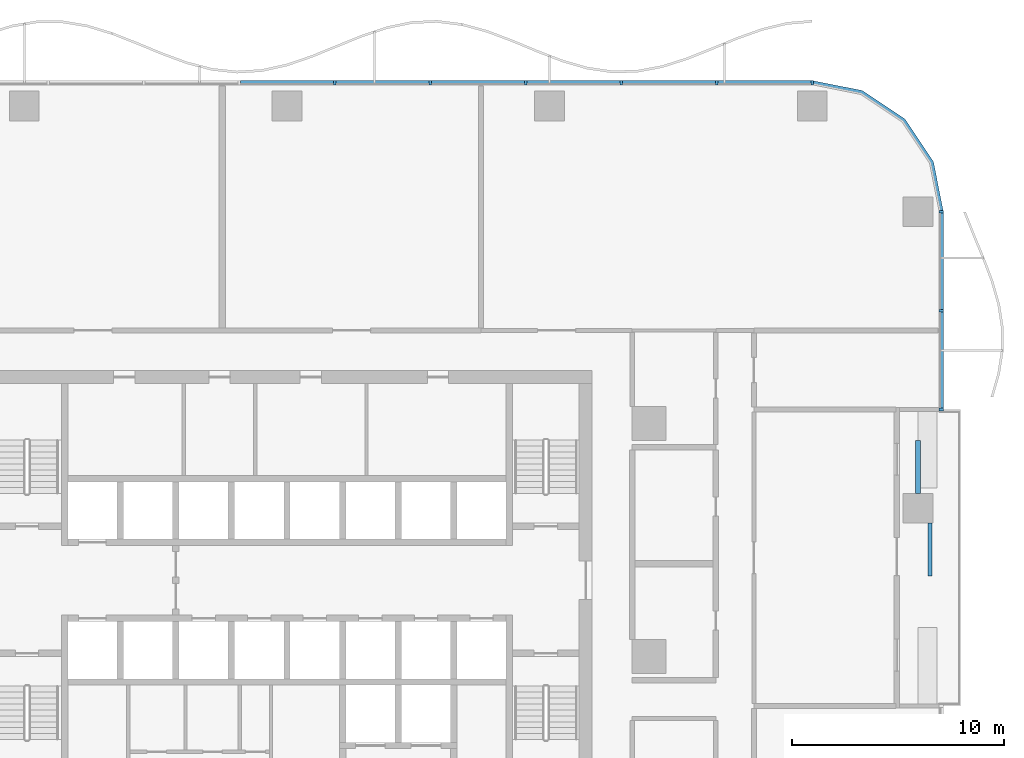
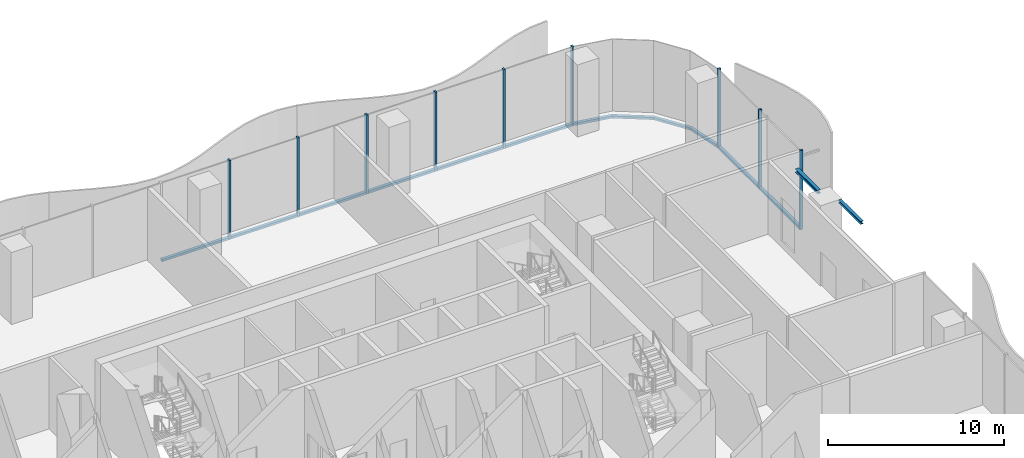
# One storey, part 5 of 20: 18 members, 2 beams, 3 elements without a shape of their own.
"""IFC4 building model written with IfcOpenShell, lengths in metres."""

from ifc_helpers import new_model, si_unit, direction, frame, origin, origin_2d, place, context, subcontext, project, spatial, polyline, rectangle, i_section, outline, extrude, material, material_profile, profile_set, type_object, element, aggregate, save


model = new_model("IFC4")

# Units and contexts
model_context = context("Model", 3, precision=1e-05, world=origin(), true_north=direction((0.0, 1.0)))
body_context = subcontext(model_context, "Body", "Model", "MODEL_VIEW")
ifc_project = project(units=[si_unit("LENGTHUNIT", "METRE"), si_unit("AREAUNIT", "SQUARE_METRE"), si_unit("VOLUMEUNIT", "CUBIC_METRE"), si_unit("PLANEANGLEUNIT", "RADIAN"), si_unit("MASSUNIT", "GRAM", prefix="KILO")], contexts=[model_context])

# Site, building, storey
site_placement = place(None, origin())
site = spatial("IfcSite", under=ifc_project, at=site_placement, CompositionType="ELEMENT")
building_placement = place(site_placement, origin())
building = spatial("IfcBuilding", under=site, at=building_placement, Name="Mopane Tessera Tower", CompositionType="ELEMENT")
storey_placement = place(building_placement, frame((0.0, 0.0, 14.5)))
storey = spatial("IfcBuildingStorey", under=building, at=storey_placement, Name="L02", CompositionType="ELEMENT", Elevation=14.5)

# Curtain wall, members
ifc_material_1 = material(Name="Aluminium frame", Category="aluminium")
curtain_wall_type = type_object("IfcCurtainWallType", Name="Podium unitised wall", PredefinedType="NOTDEFINED", material=ifc_material_1)
curtain_wall_1_placement = place(storey_placement, origin())
curtain_wall_1 = element("IfcCurtainWall", 1, at=curtain_wall_1_placement, inside=storey, type_object=curtain_wall_type, Name="e:cw:L02:E:7", PredefinedType="NOTDEFINED")
ifc_material_2 = material(Name="Aluminium frame", Category="aluminium")
ifc_material_profile_1 = material_profile(ifc_material_2, rectangle(XDim=0.125, YDim=0.199951171875, at=origin_2d()))
ifc_profile_set_1 = profile_set([ifc_material_profile_1], Name="Aluminium frame")
member_type_1 = type_object("IfcMemberType", Name="Aluminium mullion 125 x 200", PredefinedType="MULLION", material=ifc_profile_set_1)
member_1_placement = place(storey_placement, frame((30.89990234375, 11.666748046875, -0.5), z_axis=(0.0, 0.0, 1.0), x_axis=(0.0, 1.0, 0.0)))
member_1 = element("IfcMember", 2, at=member_1_placement, type_object=member_type_1, Name="e:cw:L02:E:7:mu7", PredefinedType="MULLION", context=body_context, shape_type="SweptSolid", body=[
    extrude(rectangle(XDim=0.125, YDim=0.199951171875, at=origin_2d()), origin(), (0.0, 0.0, 1.0), 5.5),
])
member_2_placement = place(storey_placement, frame((30.89990234375, 16.333251953125, -0.5), z_axis=(0.0, 0.0, 1.0), x_axis=(0.0, 1.0, 0.0)))
member_2 = element("IfcMember", 3, at=member_2_placement, type_object=member_type_1, Name="e:cw:L02:E:7:mu8", PredefinedType="MULLION", context=body_context, shape_type="SweptSolid", body=[
    extrude(rectangle(XDim=0.125, YDim=0.199951171875, at=origin_2d()), origin(), (0.0, 0.0, 1.0), 5.5),
])
member_3_placement = place(storey_placement, frame((30.89990234375, 21.0, -0.5), z_axis=(0.0, 0.0, 1.0), x_axis=(0.0, 1.0, 0.0)))
member_3 = element("IfcMember", 4, at=member_3_placement, type_object=member_type_1, Name="e:cw:L02:E:7:mu9", PredefinedType="MULLION", context=body_context, shape_type="SweptSolid", body=[
    extrude(rectangle(XDim=0.125, YDim=0.199951171875, at=origin_2d()), origin(), (0.0, 0.0, 1.0), 5.5),
])

curtain_wall_2_placement = place(storey_placement, origin())
curtain_wall_2 = element("IfcCurtainWall", 5, at=curtain_wall_2_placement, inside=storey, type_object=curtain_wall_type, Name="e:cw:L02:N:0", PredefinedType="NOTDEFINED")
member_4_placement = place(storey_placement, frame((24.800048828125, 27.10009765625, -0.5), z_axis=(0.0, 0.0, 1.0), x_axis=(-1.0, 0.0, 0.0)))
member_4 = element("IfcMember", 6, at=member_4_placement, type_object=member_type_1, Name="e:cw:L02:N:0:mu0", PredefinedType="MULLION", context=body_context, shape_type="SweptSolid", body=[
    extrude(rectangle(XDim=0.125, YDim=0.199951171875, at=origin_2d()), origin(), (0.0, 0.0, 1.0), 5.5),
])
member_5_placement = place(storey_placement, frame((20.291015625, 27.10009765625, -0.5), z_axis=(0.0, 0.0, 1.0), x_axis=(-1.0, 0.0, 0.0)))
member_5 = element("IfcMember", 7, at=member_5_placement, type_object=member_type_1, Name="e:cw:L02:N:0:mu1", PredefinedType="MULLION", context=body_context, shape_type="SweptSolid", body=[
    extrude(rectangle(XDim=0.125, YDim=0.199951171875, at=origin_2d()), origin(), (0.0, 0.0, 1.0), 5.5),
])
member_6_placement = place(storey_placement, frame((15.78173828125, 27.10009765625, -0.5), z_axis=(0.0, 0.0, 1.0), x_axis=(-1.0, 0.0, 0.0)))
member_6 = element("IfcMember", 8, at=member_6_placement, type_object=member_type_1, Name="e:cw:L02:N:0:mu2", PredefinedType="MULLION", context=body_context, shape_type="SweptSolid", body=[
    extrude(rectangle(XDim=0.125, YDim=0.199951171875, at=origin_2d()), origin(), (0.0, 0.0, 1.0), 5.5),
])
member_7_placement = place(storey_placement, frame((11.272705078125, 27.10009765625, -0.5), z_axis=(0.0, 0.0, 1.0), x_axis=(-1.0, 0.0, 0.0)))
member_7 = element("IfcMember", 9, at=member_7_placement, type_object=member_type_1, Name="e:cw:L02:N:0:mu3", PredefinedType="MULLION", context=body_context, shape_type="SweptSolid", body=[
    extrude(rectangle(XDim=0.125, YDim=0.199951171875, at=origin_2d()), origin(), (0.0, 0.0, 1.0), 5.5),
])
member_8_placement = place(storey_placement, frame((6.763671875, 27.10009765625, -0.5), z_axis=(0.0, 0.0, 1.0), x_axis=(-1.0, 0.0, 0.0)))
member_8 = element("IfcMember", 10, at=member_8_placement, type_object=member_type_1, Name="e:cw:L02:N:0:mu4", PredefinedType="MULLION", context=body_context, shape_type="SweptSolid", body=[
    extrude(rectangle(XDim=0.125, YDim=0.199951171875, at=origin_2d()), origin(), (0.0, 0.0, 1.0), 5.5),
])
member_9_placement = place(storey_placement, frame((2.254638671875, 27.10009765625, -0.5), z_axis=(0.0, 0.0, 1.0), x_axis=(-1.0, 0.0, 0.0)))
member_9 = element("IfcMember", 11, at=member_9_placement, type_object=member_type_1, Name="e:cw:L02:N:0:mu5", PredefinedType="MULLION", context=body_context, shape_type="SweptSolid", body=[
    extrude(rectangle(XDim=0.125, YDim=0.199951171875, at=origin_2d()), origin(), (0.0, 0.0, 1.0), 5.5),
])

# Member
ifc_material_3 = material(Name="Aluminium frame", Category="aluminium")
ifc_material_profile_2 = material_profile(ifc_material_3, rectangle(XDim=0.199951171875, YDim=0.159912109375, at=origin_2d()))
ifc_profile_set_2 = profile_set([ifc_material_profile_2], Name="Aluminium frame")
member_type_2 = type_object("IfcMemberType", Name="Aluminium transom 200 x 160", PredefinedType="USERDEFINED", material=ifc_profile_set_2)
member_10_placement = place(storey_placement, frame((30.89990234375, 11.729248046875, -0.419921875), z_axis=(0.0, 1.0, 0.0), x_axis=(-1.0, 0.0, 0.0)))
member_10 = element("IfcMember", 12, at=member_10_placement, type_object=member_type_2, Name="e:cw:L02:E:7:tr7", ObjectType="TRANSOM", PredefinedType="USERDEFINED", context=body_context, shape_type="SweptSolid", body=[
    extrude(rectangle(XDim=0.199951171875, YDim=0.159912109375, at=origin_2d()), origin(), (0.0, 0.0, 1.0), 4.54150390625),
])

member_11_placement = place(storey_placement, frame((30.89990234375, 16.395751953125, -0.419921875), z_axis=(0.0, 1.0, 0.0), x_axis=(-1.0, 0.0, 0.0)))
member_11 = element("IfcMember", 13, at=member_11_placement, type_object=member_type_2, Name="e:cw:L02:E:7:tr8", ObjectType="TRANSOM", PredefinedType="USERDEFINED", context=body_context, shape_type="SweptSolid", body=[
    extrude(rectangle(XDim=0.199951171875, YDim=0.159912109375, at=origin_2d()), origin(), (0.0, 0.0, 1.0), 4.541748046875),
])

aggregate(curtain_wall_1, [member_1, member_2, member_3, member_10, member_11])

# Curtain wall, member
curtain_wall_3_placement = place(storey_placement, origin())
curtain_wall_3 = element("IfcCurtainWall", 14, at=curtain_wall_3_placement, inside=storey, type_object=curtain_wall_type, Name="e:cw:L02:CE", PredefinedType="NOTDEFINED")
member_12_placement = place(storey_placement, frame((0.0, 0.0, -0.5)))
member_12 = element("IfcMember", 15, at=member_12_placement, type_object=member_type_2, Name="e:cw:L02:CE:tr", ObjectType="TRANSOM", PredefinedType="USERDEFINED", context=body_context, shape_type="SweptSolid", body=[
    extrude(outline(polyline([(30.800048828125, 21.0), (30.34326171875, 23.296142578125), (29.042724609375, 25.24267578125), (27.09619140625, 26.543212890625), (24.800048828125, 27.0), (24.800048828125, 27.199951171875), (27.172607421875, 26.72802734375), (29.18408203125, 25.384033203125), (30.528076171875, 23.37255859375), (31.0, 21.0), (30.800048828125, 21.0)])), origin(), (0.0, 0.0, 1.0), 0.159912109375),
])
aggregate(curtain_wall_3, [member_12])

# Member
member_13_placement = place(storey_placement, frame((24.737548828125, 27.10009765625, -0.419921875), z_axis=(-1.0, 0.0, 0.0), x_axis=(0.0, -1.0, 0.0)))
member_13 = element("IfcMember", 16, at=member_13_placement, type_object=member_type_2, Name="e:cw:L02:N:0:tr0", ObjectType="TRANSOM", PredefinedType="USERDEFINED", context=body_context, shape_type="SweptSolid", body=[
    extrude(rectangle(XDim=0.199951171875, YDim=0.159912109375, at=origin_2d()), origin(), (0.0, 0.0, 1.0), 4.384033203125),
])

member_14_placement = place(storey_placement, frame((20.228515625, 27.10009765625, -0.419921875), z_axis=(-1.0, 0.0, 0.0), x_axis=(0.0, -1.0, 0.0)))
member_14 = element("IfcMember", 17, at=member_14_placement, type_object=member_type_2, Name="e:cw:L02:N:0:tr1", ObjectType="TRANSOM", PredefinedType="USERDEFINED", context=body_context, shape_type="SweptSolid", body=[
    extrude(rectangle(XDim=0.199951171875, YDim=0.159912109375, at=origin_2d()), origin(), (0.0, 0.0, 1.0), 4.38427734375),
])

member_15_placement = place(storey_placement, frame((15.71923828125, 27.10009765625, -0.419921875), z_axis=(-1.0, 0.0, 0.0), x_axis=(0.0, -1.0, 0.0)))
member_15 = element("IfcMember", 18, at=member_15_placement, type_object=member_type_2, Name="e:cw:L02:N:0:tr2", ObjectType="TRANSOM", PredefinedType="USERDEFINED", context=body_context, shape_type="SweptSolid", body=[
    extrude(rectangle(XDim=0.199951171875, YDim=0.159912109375, at=origin_2d()), origin(), (0.0, 0.0, 1.0), 4.384033203125),
])

member_16_placement = place(storey_placement, frame((11.210205078125, 27.10009765625, -0.419921875), z_axis=(-1.0, 0.0, 0.0), x_axis=(0.0, -1.0, 0.0)))
member_16 = element("IfcMember", 19, at=member_16_placement, type_object=member_type_2, Name="e:cw:L02:N:0:tr3", ObjectType="TRANSOM", PredefinedType="USERDEFINED", context=body_context, shape_type="SweptSolid", body=[
    extrude(rectangle(XDim=0.199951171875, YDim=0.159912109375, at=origin_2d()), origin(), (0.0, 0.0, 1.0), 4.384033203125),
])

member_17_placement = place(storey_placement, frame((6.701171875, 27.10009765625, -0.419921875), z_axis=(-1.0, 0.0, 0.0), x_axis=(0.0, -1.0, 0.0)))
member_17 = element("IfcMember", 20, at=member_17_placement, type_object=member_type_2, Name="e:cw:L02:N:0:tr4", ObjectType="TRANSOM", PredefinedType="USERDEFINED", context=body_context, shape_type="SweptSolid", body=[
    extrude(rectangle(XDim=0.199951171875, YDim=0.159912109375, at=origin_2d()), origin(), (0.0, 0.0, 1.0), 4.384033203125),
])

member_18_placement = place(storey_placement, frame((2.192138671875, 27.10009765625, -0.419921875), z_axis=(-1.0, 0.0, 0.0), x_axis=(0.0, -1.0, 0.0)))
member_18 = element("IfcMember", 21, at=member_18_placement, type_object=member_type_2, Name="e:cw:L02:N:0:tr5", ObjectType="TRANSOM", PredefinedType="USERDEFINED", context=body_context, shape_type="SweptSolid", body=[
    extrude(rectangle(XDim=0.199951171875, YDim=0.159912109375, at=origin_2d()), origin(), (0.0, 0.0, 1.0), 4.38427734375),
])

aggregate(curtain_wall_2, [member_4, member_5, member_6, member_7, member_8, member_9, member_13, member_14, member_15, member_16, member_17, member_18])

# Beams
ifc_material_4 = material(Name="Structural steel S460", Category="steel")
ifc_material_profile_3 = material_profile(ifc_material_4, i_section(OverallWidth=0.239990234375, OverallDepth=0.239990234375, WebThickness=0.010009765625, FlangeThickness=0.01708984375, FilletRadius=0.02099609375, at=origin_2d()))
ifc_profile_set_3 = profile_set([ifc_material_profile_3], Name="Structural steel S460")
beam_type_1 = type_object("IfcBeamType", Name="Terrace spandrel beam HE 240 B", PredefinedType="SPANDREL", material=ifc_profile_set_3)
beam_1_placement = place(storey_placement, frame((29.800048828125, 7.702880859375, 4.8798828125), z_axis=(0.0, 1.0, 0.0), x_axis=(-1.0, 0.0, 0.0)))
element("IfcBeam", 22, at=beam_1_placement, inside=storey, type_object=beam_type_1, Name="Terrace spandrel beam N2 L03", PredefinedType="SPANDREL", context=body_context, shape_type="SweptSolid", body=[
    extrude(i_section(OverallWidth=0.239990234375, OverallDepth=0.239990234375, WebThickness=0.010009765625, FlangeThickness=0.01708984375, FilletRadius=0.02099609375, at=origin_2d()), origin(), (0.0, 0.0, 1.0), 2.5),
])
ifc_material_5 = material(Name="Structural steel S460", Category="steel")
ifc_material_profile_4 = material_profile(ifc_material_5, i_section(OverallWidth=0.199951171875, OverallDepth=0.199951171875, WebThickness=0.009033203125, FlangeThickness=0.014892578125, FilletRadius=0.01806640625, at=origin_2d()))
ifc_profile_set_4 = profile_set([ifc_material_profile_4], Name="Structural steel S460")
beam_type_2 = type_object("IfcBeamType", Name="Terrace trimmer beam HE 200 B", PredefinedType="BEAM", material=ifc_profile_set_4)
beam_2_placement = place(storey_placement, frame((30.360107421875, 6.297119140625, 4.89990234375), z_axis=(0.0, -1.0, 0.0), x_axis=(1.0, 0.0, 0.0)))
element("IfcBeam", 23, at=beam_2_placement, inside=storey, type_object=beam_type_2, Name="Terrace trimmer beam N2 L03", PredefinedType="BEAM", context=body_context, shape_type="SweptSolid", body=[
    extrude(i_section(OverallWidth=0.199951171875, OverallDepth=0.199951171875, WebThickness=0.009033203125, FlangeThickness=0.014892578125, FilletRadius=0.01806640625, at=origin_2d()), origin(), (0.0, 0.0, 1.0), 2.5),
])

save(model, "model.ifc")
